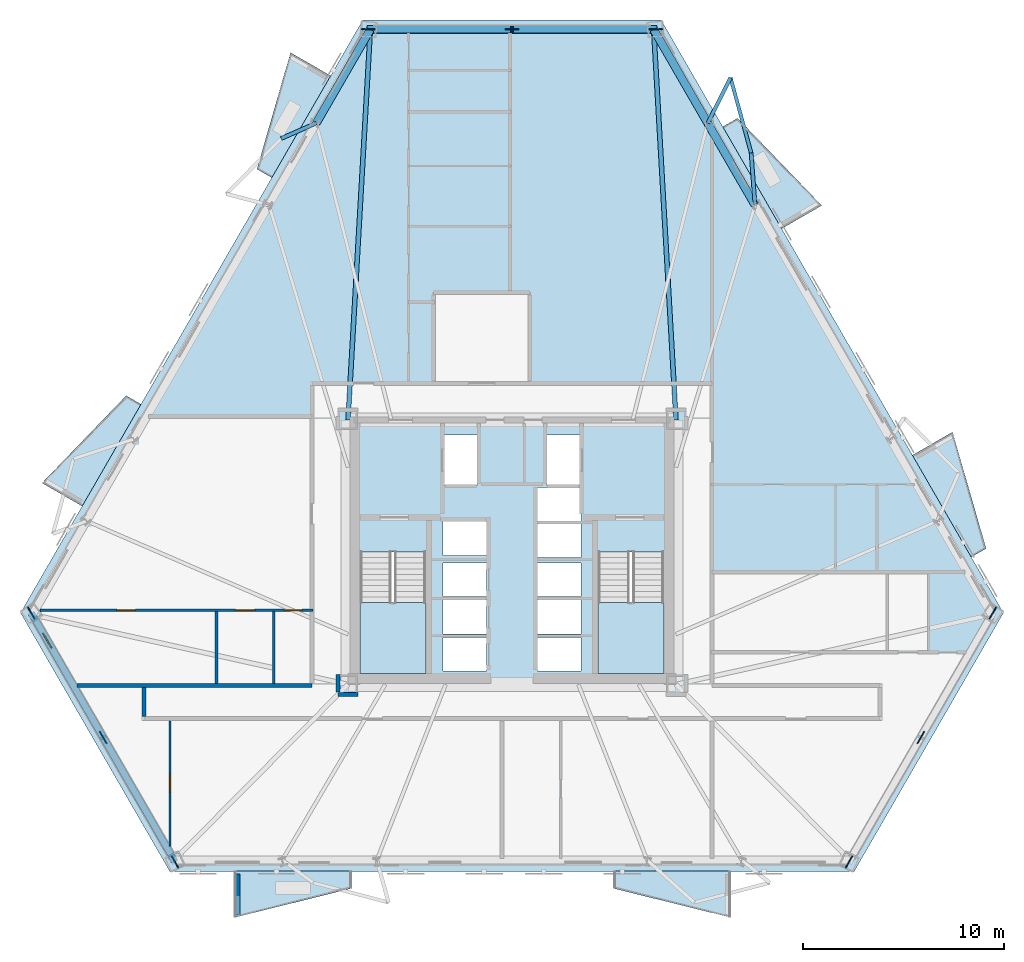
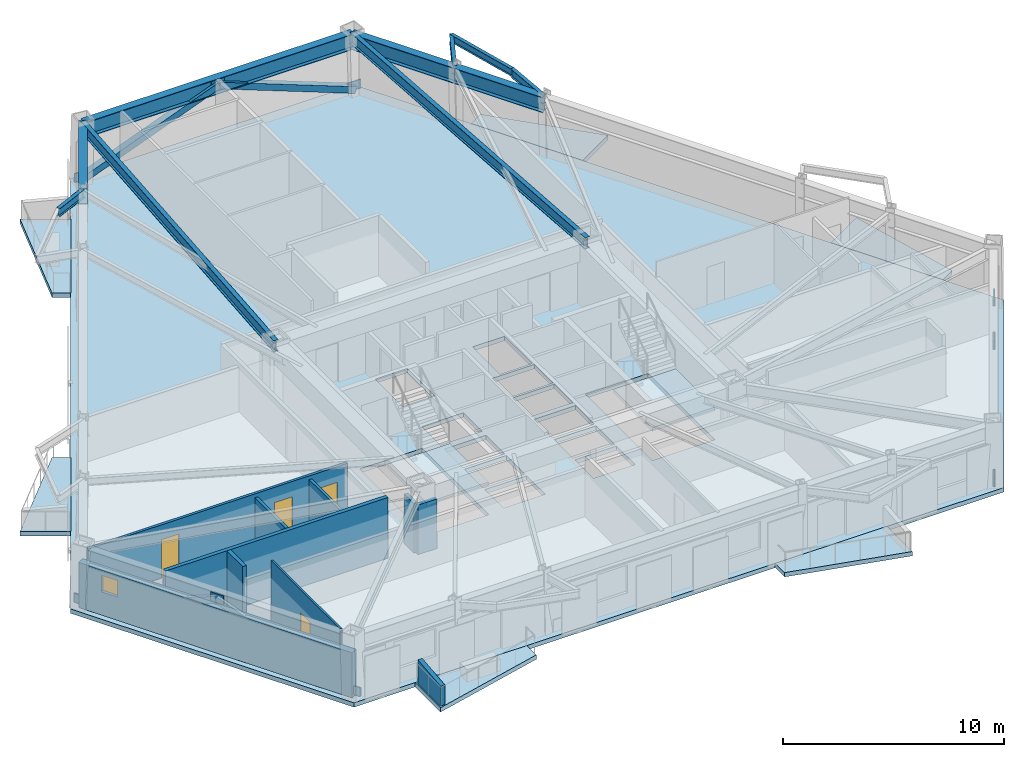
# One storey, part 2 of 10: 10 beams, 10 walls, 9 plates, 9 slabs, 4 doors, 2 members, 1 window, 5 openings, 2 elements without a shape of their own.
"""IFC4 building model written with IfcOpenShell, lengths in metres."""

from ifc_helpers import new_model, si_unit, direction, frame, frame_2d, origin, origin_2d, place, context, subcontext, project, spatial, polyline, rectangle, hollow_rectangle, i_section, outline, extrude, material, layer, layer_set, material_profile, profile_set, type_object, element, fill, aggregate, save


model = new_model("IFC4")

# Units and contexts
model_context = context("Model", 3, precision=1e-05, world=origin(), true_north=direction((0.0, 1.0)))
body_context = subcontext(model_context, "Body", "Model", "MODEL_VIEW")
ifc_project = project(units=[si_unit("LENGTHUNIT", "METRE"), si_unit("AREAUNIT", "SQUARE_METRE"), si_unit("VOLUMEUNIT", "CUBIC_METRE"), si_unit("PLANEANGLEUNIT", "RADIAN"), si_unit("MASSUNIT", "GRAM", prefix="KILO")], contexts=[model_context])

# Site, building, storey
site_placement = place(None, origin())
site = spatial("IfcSite", under=ifc_project, at=site_placement, CompositionType="ELEMENT")
building_placement = place(site_placement, origin())
building = spatial("IfcBuilding", under=site, at=building_placement, Name="Oramaril Tower", CompositionType="ELEMENT")
storey_placement = place(building_placement, frame((0.0, 0.0, 56.10009765625)))
storey = spatial("IfcBuildingStorey", under=building, at=storey_placement, Name="L14", CompositionType="ELEMENT", Elevation=56.10009765625)

# Beams
ifc_material_1 = material(Name="Steel ASTM A572 Gr 50", Category="steel")
ifc_material_profile_1 = material_profile(ifc_material_1, i_section(OverallWidth=0.19091796875, OverallDepth=0.45703125, WebThickness=0.009033203125, FlangeThickness=0.014404296875, at=origin_2d()), Name="W18X50")
ifc_profile_set_1 = profile_set([ifc_material_profile_1], Name="Steel ASTM A572 Gr 50")
beam_type_1 = type_object("IfcBeamType", Name="BT-BB1", PredefinedType="BEAM", material=ifc_profile_set_1)
beam_1_placement = place(storey_placement, frame((49.57958984375, 34.830078125, 3.13134765625), z_axis=(-0.074981250711, 0.99718494375, 0.0), x_axis=(-0.99718494375, -0.074981250711, 0.0)))
element("IfcBeam", 1, at=beam_1_placement, inside=storey, type_object=beam_type_1, Name="L14 Balcony Column-Framed Cantilever 04.1", PredefinedType="BEAM", context=body_context, shape_type="SweptSolid", body=[
    extrude(i_section(OverallWidth=0.19091796875, OverallDepth=0.45703125, WebThickness=0.009033203125, FlangeThickness=0.014404296875, at=origin_2d()), origin(), (0.0, 0.0, 1.0), 2.6015625),
])
beam_2_placement = place(storey_placement, frame((47.228515625, 38.902099609375, 3.13134765625), z_axis=(0.448915936367, 0.893573993621, 0.0), x_axis=(-0.893573993621, 0.448915936367, 0.0)))
element("IfcBeam", 2, at=beam_2_placement, inside=storey, type_object=beam_type_1, Name="L14 Balcony Column-Framed Cantilever 04.2", PredefinedType="BEAM", context=body_context, shape_type="SweptSolid", body=[
    extrude(i_section(OverallWidth=0.19091796875, OverallDepth=0.45703125, WebThickness=0.009033203125, FlangeThickness=0.014404296875, at=origin_2d()), origin(), (0.0, 0.0, 1.0), 2.52294921875),
])
beam_3_placement = place(storey_placement, frame((27.771484375, 38.902099609375, 3.13134765625), z_axis=(-0.915282954279, -0.402811511264, 0.0), x_axis=(0.402811511264, -0.915282954279, 0.0)))
element("IfcBeam", 3, at=beam_3_placement, inside=storey, type_object=beam_type_1, Name="L14 Balcony Column-Framed Cantilever 05.1", PredefinedType="BEAM", context=body_context, shape_type="SweptSolid", body=[
    extrude(i_section(OverallWidth=0.19091796875, OverallDepth=0.45703125, WebThickness=0.009033203125, FlangeThickness=0.014404296875, at=origin_2d()), origin(), (0.0, 0.0, 1.0), 1.907958984375),
])
ifc_material_2 = material(Name="Steel ASTM A572 Gr 50", Category="steel")
ifc_material_profile_2 = material_profile(ifc_material_2, i_section(OverallWidth=0.22900390625, OverallDepth=0.612060546875, WebThickness=0.011962890625, FlangeThickness=0.01953125, at=origin_2d()), Name="W24X84")
ifc_profile_set_2 = profile_set([ifc_material_profile_2], Name="Steel ASTM A572 Gr 50")
beam_type_2 = type_object("IfcBeamType", Name="BT-FB1", PredefinedType="BEAM", material=ifc_profile_set_2)
for number, where, z_axis, x_axis, name in (
    (4, (45.64990234375, 24.14990234375, 3.053955078125), (-0.057010801717, 0.998373561593, 0.0), (-0.998373561593, -0.057010801717, 0.0), "L14 Radial Primary Beam RB-05"),
    (5, (29.35009765625, 24.14990234375, 3.053955078125), (0.057010801717, 0.998373561593, 0.0), (-0.998373561593, 0.057010801717, 0.0), "L14 Radial Primary Beam RB-06"),
):
    element("IfcBeam", number, at=place(storey_placement, frame(where, z_axis=z_axis, x_axis=x_axis)), inside=storey, type_object=beam_type_2, Name=name, PredefinedType="BEAM", context=body_context, shape_type="SweptSolid", body=[
        extrude(i_section(OverallWidth=0.22900390625, OverallDepth=0.612060546875, WebThickness=0.011962890625, FlangeThickness=0.01953125, at=origin_2d()), origin(), (0.0, 0.0, 1.0), 19.4375),
    ])
ifc_material_3 = material(Name="Steel ASTM A572 Gr 50", Category="steel")
ifc_material_profile_3 = material_profile(ifc_material_3, i_section(OverallWidth=0.177978515625, OverallDepth=0.404052734375, WebThickness=0.007568359375, FlangeThickness=0.010986328125, at=origin_2d()), Name="W16X36")
ifc_profile_set_3 = profile_set([ifc_material_profile_3], Name="Steel ASTM A572 Gr 50")
beam_type_3 = type_object("IfcBeamType", Name="BT-SB1", PredefinedType="BEAM", material=ifc_profile_set_3)
beam_4_placement = place(storey_placement, frame((49.384521484375, 37.42431640625, 3.157958984375), z_axis=(-0.264457004129, 0.964397476649, 0.0), x_axis=(-0.964397476649, -0.264457004129, 0.0)))
element("IfcBeam", 6, at=beam_4_placement, inside=storey, type_object=beam_type_3, Name="L14 Balcony Edge Tie Beam 04", PredefinedType="BEAM", context=body_context, shape_type="SweptSolid", body=[
    extrude(i_section(OverallWidth=0.177978515625, OverallDepth=0.404052734375, WebThickness=0.007568359375, FlangeThickness=0.010986328125, at=origin_2d()), origin(), (0.0, 0.0, 1.0), 3.869873046875),
])
ifc_material_4 = material(Name="Steel ASTM A572 Gr 50", Category="steel")
ifc_material_profile_4 = material_profile(ifc_material_4, i_section(OverallWidth=0.40087890625, OverallDepth=0.85595703125, WebThickness=0.018310546875, FlangeThickness=0.029296875, at=origin_2d()), Name="W33X201")
ifc_profile_set_4 = profile_set([ifc_material_profile_4], Name="Steel ASTM A572 Gr 50")
beam_type_4 = type_object("IfcBeamType", Name="BT-SP1", PredefinedType="SPANDREL", material=ifc_profile_set_4)
beam_5_placement = place(storey_placement, frame((49.57958984375, 34.830078125, 2.931884765625), z_axis=(-0.500014597714, 0.866016975626, 0.0), x_axis=(-0.866016975626, -0.500014597714, 0.0)))
element("IfcBeam", 7, at=beam_5_placement, inside=storey, type_object=beam_type_4, Name="L14 Perimeter Spandrel 11", PredefinedType="SPANDREL", context=body_context, shape_type="SweptSolid", body=[
    extrude(i_section(OverallWidth=0.40087890625, OverallDepth=0.85595703125, WebThickness=0.018310546875, FlangeThickness=0.029296875, at=origin_2d()), origin(), (0.0, 0.0, 1.0), 4.701904296875),
])
beam_6_placement = place(storey_placement, frame((47.228515625, 38.902099609375, 2.931884765625), z_axis=(-0.499984638128, 0.866034272784, 0.0), x_axis=(-0.866034272784, -0.499984638128, 0.0)))
element("IfcBeam", 8, at=beam_6_placement, inside=storey, type_object=beam_type_4, Name="L14 Perimeter Spandrel 12", PredefinedType="SPANDREL", context=body_context, shape_type="SweptSolid", body=[
    extrude(i_section(OverallWidth=0.40087890625, OverallDepth=0.85595703125, WebThickness=0.018310546875, FlangeThickness=0.029296875, at=origin_2d()), origin(), (0.0, 0.0, 1.0), 5.373779296875),
])
beam_7_placement = place(storey_placement, frame((44.541748046875, 43.555908203125, 2.931884765625), z_axis=(-1.0, 0.0, 0.0), x_axis=(0.0, -1.0, 0.0)))
element("IfcBeam", 9, at=beam_7_placement, inside=storey, type_object=beam_type_4, Name="L14 Perimeter Spandrel 13", PredefinedType="SPANDREL", context=body_context, shape_type="SweptSolid", body=[
    extrude(i_section(OverallWidth=0.40087890625, OverallDepth=0.85595703125, WebThickness=0.018310546875, FlangeThickness=0.029296875, at=origin_2d()), origin(), (0.0, 0.0, 1.0), 14.08349609375),
])
beam_8_placement = place(storey_placement, frame((30.458251953125, 43.555908203125, 2.931884765625), z_axis=(-0.499984638128, -0.866034272784, 0.0), x_axis=(0.866034272784, -0.499984638128, 0.0)))
element("IfcBeam", 10, at=beam_8_placement, inside=storey, type_object=beam_type_4, Name="L14 Perimeter Spandrel 14", PredefinedType="SPANDREL", context=body_context, shape_type="SweptSolid", body=[
    extrude(i_section(OverallWidth=0.40087890625, OverallDepth=0.85595703125, WebThickness=0.018310546875, FlangeThickness=0.029296875, at=origin_2d()), origin(), (0.0, 0.0, 1.0), 5.373779296875),
])

# Members
ifc_material_5 = material(Name="Steel ASTM A572 Gr 50", Category="steel")
ifc_material_profile_5 = material_profile(ifc_material_5, hollow_rectangle(XDim=0.35009765625, YDim=0.35009765625, WallThickness=0.01611328125, at=origin_2d()), Name="HSS350X350X16")
ifc_profile_set_5 = profile_set([ifc_material_profile_5], Name="Steel ASTM A572 Gr 50")
member_type = type_object("IfcMemberType", Name="MT-KB1", PredefinedType="BRACE", material=ifc_profile_set_5)
for number, where, z_axis, x_axis, name in (
    (11, (44.64892578125, 43.565185546875, 0.179931640625), (-0.933242069308, 0.0, 0.359248159458), (0.0, -1.0, 0.0), "L14 Perimeter Chevron Brace KB-3A"),
    (12, (30.35107421875, 43.565185546875, 0.179931640625), (0.933242069308, 0.0, 0.359248159458), (0.0, 1.0, 0.0), "L14 Perimeter Chevron Brace KB-3B"),
):
    element("IfcMember", number, at=place(storey_placement, frame(where, z_axis=z_axis, x_axis=x_axis)), inside=storey, type_object=member_type, Name=name, PredefinedType="BRACE", context=body_context, shape_type="SweptSolid", body=[
        extrude(hollow_rectangle(XDim=0.35009765625, YDim=0.35009765625, WallThickness=0.01611328125, at=origin_2d()), origin(), (0.0, 0.0, 1.0), 7.660400390625),
    ])

# Plates
ifc_material_6 = material(Name="Steel ASTM A572 Gr 50", Category="steel")
ifc_layer_1 = layer(ifc_material_6, 0.06005859375)
ifc_layer_set_1 = layer_set([ifc_layer_1], Name="PLT-G60")
plate_type = type_object("IfcPlateType", Name="PLT-G60", PredefinedType="USERDEFINED", material=ifc_layer_set_1)
for number, where, z_axis, x_axis, name in (
    (13, (17.1787109375, 8.367431640625, 2.69189453125), (0.0, 0.0, 1.0), (0.500001511499, -0.866024531118, 0.0), "L14 Chevron Brace Gusset Plate BN-1"),
    (14, (13.60400390625, 14.55859375, 0.099853515625), (0.0, 0.0, 1.0), (0.500001511499, -0.866024531118, 0.0), "L14 Chevron Brace Gusset Plate BN-1"),
    (15, (20.753173828125, 2.17626953125, 0.099853515625), (0.0, 0.0, 1.0), (0.500001511499, -0.866024531118, 0.0), "L14 Chevron Brace Gusset Plate BN-1"),
    (16, (57.8212890625, 8.367431640625, 2.69189453125), (0.0, 0.0, 1.0), (0.500001511499, 0.866024531118, 0.0), "L14 Chevron Brace Gusset Plate BN-1"),
    (17, (54.246826171875, 2.17626953125, 0.099853515625), (0.0, 0.0, 1.0), (0.500001511499, 0.866024531118, 0.0), "L14 Chevron Brace Gusset Plate BN-1"),
    (18, (61.39599609375, 14.55859375, 0.099853515625), (0.0, 0.0, 1.0), (0.500001511499, 0.866024531118, 0.0), "L14 Chevron Brace Gusset Plate BN-1"),
    (19, (37.5, 43.565185546875, 2.69189453125), (0.0, 0.0, 1.0), (-1.0, 0.0, 0.0), "L14 Chevron Brace Gusset Plate BN-1"),
    (20, (44.64892578125, 43.565185546875, 0.099853515625), (0.0, 0.0, 1.0), (-1.0, 0.0, 0.0), "L14 Chevron Brace Gusset Plate BN-1"),
    (21, (30.35107421875, 43.565185546875, 0.099853515625), (0.0, 0.0, 1.0), (-1.0, 0.0, 0.0), "L14 Chevron Brace Gusset Plate BN-1"),
):
    element("IfcPlate", number, at=place(storey_placement, frame(where, z_axis=z_axis, x_axis=x_axis)), inside=storey, type_object=plate_type, Name=name, ObjectType="GUSSET", PredefinedType="USERDEFINED", context=body_context, shape_type="SweptSolid", body=[
        extrude(rectangle(XDim=0.679931640625, YDim=0.06005859375, at=origin_2d()), origin(), (0.0, 0.0, 1.0), 0.47998046875),
    ])

# Slabs
ifc_material_7 = material(Name="Concrete C40/50", Category="concrete")
ifc_layer_2 = layer(ifc_material_7, 0.199951171875)
ifc_layer_set_2 = layer_set([ifc_layer_2], Name="SLT-BAL20")
slab_type_1 = type_object("IfcSlabType", Name="SLT-BAL20", PredefinedType="FLOOR", material=ifc_layer_set_2)
slab_1_placement = place(storey_placement, frame((0.0, 0.0, -0.239990234375)))
element("IfcSlab", 22, at=slab_1_placement, inside=storey, type_object=slab_type_1, Name="L14 Cantilevered Balcony Slab L14-BAL-S2", PredefinedType="FLOOR", context=body_context, shape_type="SweptSolid", body=[
    extrude(outline(polyline([(42.53759765625, 1.71826171875), (48.387451171875, 1.71826171875), (48.387451171875, -0.583740234375), (42.53759765625, 0.8662109375), (42.53759765625, 1.71826171875)])), origin(), (0.0, 0.0, 1.0), 0.239990234375),
])
slab_2_placement = place(storey_placement, frame((0.0, 0.0, -0.239990234375)))
element("IfcSlab", 23, at=slab_2_placement, inside=storey, type_object=slab_type_1, Name="L14 Cantilevered Balcony Slab L14-BAL-NE1", PredefinedType="FLOOR", context=body_context, shape_type="SweptSolid", body=[
    extrude(outline(polyline([(60.325439453125, 17.328857421875), (57.400390625, 22.39501953125), (59.39404296875, 23.546142578125), (61.063232421875, 17.7548828125), (60.325439453125, 17.328857421875)])), origin(), (0.0, 0.0, 1.0), 0.239990234375),
])
slab_3_placement = place(storey_placement, frame((0.0, 0.0, -0.239990234375)))
element("IfcSlab", 24, at=slab_3_placement, inside=storey, type_object=slab_type_1, Name="L14 Cantilevered Balcony Slab L14-BAL-NW2", PredefinedType="FLOOR", context=body_context, shape_type="SweptSolid", body=[
    extrude(outline(polyline([(19.06201171875, 24.92822265625), (16.13720703125, 19.862060546875), (14.1435546875, 21.012939453125), (18.32421875, 25.354248046875), (19.06201171875, 24.92822265625)])), origin(), (0.0, 0.0, 1.0), 0.239990234375),
])
ifc_material_8 = material(Name="Concrete C50/60", Category="concrete")
ifc_layer_3 = layer(ifc_material_8, 0.239990234375)
ifc_layer_set_3 = layer_set([ifc_layer_3], Name="SLT-FLR24")
slab_type_2 = type_object("IfcSlabType", Name="SLT-FLR24", PredefinedType="FLOOR", material=ifc_layer_set_3)
slab_4_placement = place(storey_placement, frame((0.0, 0.0, -0.239990234375)))
element("IfcSlab", 25, at=slab_4_placement, inside=storey, type_object=slab_type_2, Name="L14 Structural Floor Slab", PredefinedType="FLOOR", context=body_context, shape_type="SweptSolid", body=[
    extrude(outline(polyline([(13.072998046875, 14.55859375), (20.487548828125, 1.71630859375), (54.512451171875, 1.71630859375), (61.927001953125, 14.55859375), (44.91455078125, 44.025146484375), (30.08544921875, 44.025146484375), (13.072998046875, 14.55859375)]), holes=[polyline([(29.949951171875, 17.58935546875), (29.949951171875, 11.550048828125), (33.219970703125, 11.550048828125), (33.219970703125, 17.58935546875), (29.949951171875, 17.58935546875)]), polyline([(41.780029296875, 17.58935546875), (41.780029296875, 11.550048828125), (45.050048828125, 11.550048828125), (45.050048828125, 17.58935546875), (41.780029296875, 17.58935546875)]), polyline([(34.110107421875, 20.909912109375), (35.7900390625, 20.909912109375), (35.7900390625, 23.389892578125), (34.110107421875, 23.389892578125), (34.110107421875, 20.909912109375)]), polyline([(39.2099609375, 20.909912109375), (40.889892578125, 20.909912109375), (40.889892578125, 23.389892578125), (39.2099609375, 23.389892578125), (39.2099609375, 20.909912109375)]), polyline([(34.06005859375, 11.659912109375), (36.239990234375, 11.659912109375), (36.239990234375, 13.340087890625), (34.06005859375, 13.340087890625), (34.06005859375, 11.659912109375)]), polyline([(34.06005859375, 13.510009765625), (36.239990234375, 13.510009765625), (36.239990234375, 15.18994140625), (34.06005859375, 15.18994140625), (34.06005859375, 13.510009765625)]), polyline([(34.06005859375, 15.360107421875), (36.239990234375, 15.360107421875), (36.239990234375, 17.0400390625), (34.06005859375, 17.0400390625), (34.06005859375, 15.360107421875)]), polyline([(38.760009765625, 11.659912109375), (40.93994140625, 11.659912109375), (40.93994140625, 13.340087890625), (38.760009765625, 13.340087890625), (38.760009765625, 11.659912109375)]), polyline([(38.760009765625, 13.510009765625), (40.93994140625, 13.510009765625), (40.93994140625, 15.18994140625), (38.760009765625, 15.18994140625), (38.760009765625, 13.510009765625)]), polyline([(38.760009765625, 15.360107421875), (40.93994140625, 15.360107421875), (40.93994140625, 17.0400390625), (38.760009765625, 17.0400390625), (38.760009765625, 15.360107421875)]), polyline([(34.06005859375, 17.409912109375), (36.239990234375, 17.409912109375), (36.239990234375, 19.090087890625), (34.06005859375, 19.090087890625), (34.06005859375, 17.409912109375)]), polyline([(38.760009765625, 17.31005859375), (40.93994140625, 17.31005859375), (40.93994140625, 18.989990234375), (38.760009765625, 18.989990234375), (38.760009765625, 17.31005859375)]), polyline([(38.760009765625, 19.110107421875), (40.93994140625, 19.110107421875), (40.93994140625, 20.7900390625), (38.760009765625, 20.7900390625), (38.760009765625, 19.110107421875)])]), origin(), (0.0, 0.0, 1.0), 0.239990234375),
])

# Stair, slab
ifc_material_9 = material(Name="Concrete C50/60", Category="concrete")
stair_type = type_object("IfcStairType", Name="STT-DG-3600", PredefinedType="HALF_TURN_STAIR", material=ifc_material_9)
stair_1_placement = place(storey_placement, origin())
stair_1 = element("IfcStair", 26, at=stair_1_placement, inside=storey, type_object=stair_type, Name="L14 Protected PFP Exit Stair ST-1", PredefinedType="HALF_TURN_STAIR")
ifc_material_10 = material(Name="Concrete C50/60", Category="concrete")
ifc_layer_4 = layer(ifc_material_10, 0.199951171875)
ifc_layer_set_4 = layer_set([ifc_layer_4], Name="SLT-LND20")
slab_type_3 = type_object("IfcSlabType", Name="SLT-LND20", PredefinedType="LANDING", material=ifc_layer_set_4)
slab_5_placement = place(storey_placement, frame((0.0, 0.0, 1.599853515625)))
slab_5 = element("IfcSlab", 27, at=slab_5_placement, type_object=slab_type_3, Name="ST-1 landing 1", PredefinedType="LANDING", context=body_context, shape_type="SweptSolid", body=[
    extrude(outline(polyline([(29.949951171875, 15.070068359375), (29.949951171875, 11.550048828125), (33.219970703125, 11.550048828125), (33.219970703125, 15.070068359375), (29.949951171875, 15.070068359375)])), origin(), (0.0, 0.0, 1.0), 0.199951171875),
])
aggregate(stair_1, [slab_5])

stair_2_placement = place(storey_placement, origin())
stair_2 = element("IfcStair", 28, at=stair_2_placement, inside=storey, type_object=stair_type, Name="L14 Protected PFP Exit Stair ST-2", PredefinedType="HALF_TURN_STAIR")
slab_6_placement = place(storey_placement, frame((0.0, 0.0, 1.599853515625)))
slab_6 = element("IfcSlab", 29, at=slab_6_placement, type_object=slab_type_3, Name="ST-2 landing 1", PredefinedType="LANDING", context=body_context, shape_type="SweptSolid", body=[
    extrude(outline(polyline([(41.780029296875, 15.070068359375), (41.780029296875, 11.550048828125), (45.050048828125, 11.550048828125), (45.050048828125, 15.070068359375), (41.780029296875, 15.070068359375)])), origin(), (0.0, 0.0, 1.0), 0.199951171875),
])
aggregate(stair_2, [slab_6])

# Slabs
ifc_material_11 = material(Name="Concrete C40/50", Category="concrete")
ifc_layer_5 = layer(ifc_material_11, 0.18994140625)
ifc_layer_set_5 = layer_set([ifc_layer_5], Name="SLT-PLN19")
slab_type_4 = type_object("IfcSlabType", Name="SLT-PLN19", PredefinedType="FLOOR", material=ifc_layer_set_5)
slab_7_placement = place(storey_placement, frame((0.0, 0.0, -0.239990234375)))
element("IfcSlab", 30, at=slab_7_placement, inside=storey, type_object=slab_type_4, Name="L14 Tree Planter Balcony Slab L14-BAL-S1", PredefinedType="FLOOR", context=body_context, shape_type="SweptSolid", body=[
    extrude(outline(polyline([(23.6875, 1.71826171875), (29.53759765625, 1.71826171875), (29.53759765625, 0.8662109375), (23.6875, -0.583740234375), (23.6875, 1.71826171875)])), origin(), (0.0, 0.0, 1.0), 0.239990234375),
])
slab_8_placement = place(storey_placement, frame((0.0, 0.0, -0.239990234375)))
element("IfcSlab", 31, at=slab_8_placement, inside=storey, type_object=slab_type_4, Name="L14 Tree Planter Balcony Slab L14-BAL-NE2", PredefinedType="FLOOR", context=body_context, shape_type="SweptSolid", body=[
    extrude(outline(polyline([(50.900390625, 33.653564453125), (47.975341796875, 38.7197265625), (48.713134765625, 39.145751953125), (52.89404296875, 34.804443359375), (50.900390625, 33.653564453125)])), origin(), (0.0, 0.0, 1.0), 0.239990234375),
])
slab_9_placement = place(storey_placement, frame((0.0, 0.0, -0.239990234375)))
element("IfcSlab", 32, at=slab_9_placement, inside=storey, type_object=slab_type_4, Name="L14 Tree Planter Balcony Slab L14-BAL-NW1", PredefinedType="FLOOR", context=body_context, shape_type="SweptSolid", body=[
    extrude(outline(polyline([(28.487060546875, 41.2529296875), (25.56201171875, 36.186767578125), (24.82421875, 36.61279296875), (26.493408203125, 42.40380859375), (28.487060546875, 41.2529296875)])), origin(), (0.0, 0.0, 1.0), 0.239990234375),
])

# Wall, opening, window
ifc_material_12 = material(Name="Warm Cream Limestone", Category="masonry")
ifc_layer_6 = layer(ifc_material_12, 0.340087890625)
ifc_layer_set_6 = layer_set([ifc_layer_6], Name="WT-EXT34")
wall_type_1 = type_object("IfcWallType", Name="WT-EXT34", PredefinedType="SOLIDWALL", material=ifc_layer_set_6)
wall_1_placement = place(storey_placement, frame((13.60400390625, 14.55859375, 0.0), z_axis=(0.0, 0.0, 1.0), x_axis=(0.500012153807, -0.866018386667, 0.0)))
wall_1 = element("IfcWall", 33, at=wall_1_placement, inside=storey, type_object=wall_type_1, Name="L14 Tower Limestone Facade Wall 1M", PredefinedType="SOLIDWALL", context=body_context, shape_type="SweptSolid", body=[
    extrude(rectangle(XDim=14.298095703125, YDim=0.340087890625, at=frame_2d((7.14892578125, 0.0))), origin(), (0.0, 0.0, 1.0), 2.493896484375),
])
opening_1_placement = place(wall_1_placement, frame((1.174072265625, 0.0, 1.280029296875)))
opening_1 = element("IfcOpeningElement", 34, at=opening_1_placement, cuts=wall_1, Name="Opening WN-13", PredefinedType="OPENING", context=body_context, shape_type="SweptSolid", body=[
    extrude(rectangle(XDim=0.85009765625, YDim=0.919921875, at=frame_2d((0.425048828125, 0.4599609375))), frame((0.0, 0.169921875, 0.0), z_axis=(0.0, -1.0, 0.0), x_axis=(1.0, 0.0, 0.0)), (0.0, 0.0, 1.0), 0.340087890625),
])
ifc_material_13 = material(Name="Coastal Low-E Insulated Glass", Category="glass")
window_type = type_object("IfcWindowType", Name="WNT-13", PartitioningType="SINGLE_PANEL", PredefinedType="WINDOW", material=ifc_material_13)
window_placement = place(opening_1_placement, origin())
window = element("IfcWindow", 35, at=window_placement, inside=storey, type_object=window_type, Name="L14 Apartment Bedroom Window WN-13", OverallHeight=0.919921875, OverallWidth=0.85009765625, PartitioningType="SINGLE_PANEL", PredefinedType="WINDOW", context=body_context, shape_type="SweptSolid", body=[
    extrude(rectangle(XDim=0.85009765625, YDim=0.919921875, at=frame_2d((0.425048828125, 0.4599609375))), frame((0.0, 0.030029296875, 0.0), z_axis=(0.0, -1.0, 0.0), x_axis=(1.0, 0.0, 0.0)), (0.0, 0.0, 1.0), 0.06005859375),
])
fill(opening_1, window)

# Wall
ifc_material_14 = material(Name="Concrete C40/50", Category="concrete")
ifc_layer_7 = layer(ifc_material_14, 0.22998046875)
ifc_layer_set_7 = layer_set([ifc_layer_7], Name="WT-PRP23")
wall_type_2 = type_object("IfcWallType", Name="WT-PRP23", PredefinedType="PARAPET", material=ifc_layer_set_7)
wall_2_placement = place(storey_placement, frame((23.867431640625, 1.578125, 0.0), z_axis=(0.0, 0.0, 1.0), x_axis=(0.0, -1.0, 0.0)))
element("IfcWall", 36, at=wall_2_placement, inside=storey, type_object=wall_type_2, Name="L14 Trapezoidal Balcony Frame Cheek L14-BAL-S1-L", PredefinedType="PARAPET", context=body_context, shape_type="SweptSolid", body=[
    extrude(outline(polyline([(0.0, 0.0), (2.0419921875, 0.0), (2.0419921875, 1.099853515625), (0.0, 1.31982421875), (0.0, 0.0)])), frame((0.0, 0.114990234375, 0.0), z_axis=(0.0, -1.0, 0.0), x_axis=(1.0, 0.0, 0.0)), (0.0, 0.0, 1.0), 0.22998046875),
])

# Wall, opening, door
ifc_material_15 = material(Name="Acoustic Gypsum Board Partition")
ifc_layer_8 = layer(ifc_material_15, 0.10009765625)
ifc_layer_set_8 = layer_set([ifc_layer_8], Name="WT-PT10")
wall_type_3 = type_object("IfcWallType", Name="WT-PT10", PredefinedType="PARTITIONING", material=ifc_layer_set_8)
wall_3_placement = place(storey_placement, frame((20.510009765625, 2.9453125, 0.0), z_axis=(0.0, 0.0, 1.0), x_axis=(0.0, 1.0, 0.0)))
wall_3 = element("IfcWall", 37, at=wall_3_placement, inside=storey, type_object=wall_type_3, Name="L14 Interior Partition PT-10", PredefinedType="PARTITIONING", context=body_context, shape_type="SweptSolid", body=[
    extrude(rectangle(XDim=6.250732421875, YDim=0.10009765625, at=frame_2d((3.12548828125, 0.0))), origin(), (0.0, 0.0, 1.0), 3.35986328125),
])
opening_2_placement = place(wall_3_placement, frame((2.70947265625, 0.0, 0.0)))
opening_2 = element("IfcOpeningElement", 38, at=opening_2_placement, cuts=wall_3, Name="Opening D-L14-15", PredefinedType="OPENING", context=body_context, shape_type="SweptSolid", body=[
    extrude(rectangle(XDim=0.8798828125, YDim=2.080078125, at=frame_2d((0.43994140625, 1.0400390625))), frame((0.0, 0.050048828125, 0.0), z_axis=(0.0, -1.0, 0.0), x_axis=(1.0, 0.0, 0.0)), (0.0, 0.0, 1.0), 0.10009765625),
])
ifc_material_16 = material(Name="FSC Brazilian Freijo Hardwood", Category="wood")
door_type_1 = type_object("IfcDoorType", Name="DT-BATH", OperationType="NOTDEFINED", PredefinedType="DOOR", material=ifc_material_16)
door_1_placement = place(opening_2_placement, origin())
door_1 = element("IfcDoor", 39, at=door_1_placement, inside=storey, type_object=door_type_1, Name="L14 Flat L14-U1 Bathroom Door D-L14-15", OperationType="SINGLE_SWING_RIGHT", OverallHeight=2.080078125, OverallWidth=0.8798828125, PredefinedType="DOOR", context=body_context, shape_type="SweptSolid", body=[
    extrude(rectangle(XDim=0.8798828125, YDim=2.080078125, at=frame_2d((0.43994140625, 1.0400390625))), frame((0.0, 0.02490234375, 0.0), z_axis=(0.0, -1.0, 0.0), x_axis=(1.0, 0.0, 0.0)), (0.0, 0.0, 1.0), 0.050048828125),
])
fill(opening_2, door_1)

# Wall, openings, doors
ifc_material_17 = material(Name="Acoustic Gypsum Board Partition")
ifc_layer_9 = layer(ifc_material_17, 0.139892578125)
ifc_layer_set_9 = layer_set([ifc_layer_9], Name="WT-PT14")
wall_type_4 = type_object("IfcWallType", Name="WT-PT14", PredefinedType="PARTITIONING", material=ifc_layer_set_9)
wall_4_placement = place(storey_placement, frame((14.0498046875, 14.68994140625, 0.0), z_axis=(0.0, 0.0, 1.0), x_axis=(1.0, 0.0, 0.0)))
wall_4 = element("IfcWall", 40, at=wall_4_placement, inside=storey, type_object=wall_type_4, Name="L14 Interior Partition PT-14", PredefinedType="PARTITIONING", context=body_context, shape_type="SweptSolid", body=[
    extrude(rectangle(XDim=13.55029296875, YDim=0.139892578125, at=frame_2d((6.775146484375, 0.0))), origin(), (0.0, 0.0, 1.0), 2.94580078125),
])
opening_3_placement = place(wall_4_placement, frame((3.81103515625, 0.0, 0.0)))
opening_3 = element("IfcOpeningElement", 41, at=opening_3_placement, cuts=wall_4, Name="Opening D-L14-07", PredefinedType="OPENING", context=body_context, shape_type="SweptSolid", body=[
    extrude(rectangle(XDim=0.919921875, YDim=2.1201171875, at=frame_2d((0.4599609375, 1.06005859375))), frame((0.0, 0.06982421875, 0.0), z_axis=(0.0, -1.0, 0.0), x_axis=(1.0, 0.0, 0.0)), (0.0, 0.0, 1.0), 0.139892578125),
])
opening_4_placement = place(wall_4_placement, frame((9.71337890625, 0.0, 0.0)))
opening_4 = element("IfcOpeningElement", 42, at=opening_4_placement, cuts=wall_4, Name="Opening D-L14-08", PredefinedType="OPENING", context=body_context, shape_type="SweptSolid", body=[
    extrude(rectangle(XDim=0.949951171875, YDim=2.10009765625, at=frame_2d((0.47509765625, 1.050048828125))), frame((0.0, 0.06982421875, 0.0), z_axis=(0.0, -1.0, 0.0), x_axis=(1.0, 0.0, 0.0)), (0.0, 0.0, 1.0), 0.139892578125),
])
opening_5_placement = place(wall_4_placement, frame((12.130126953125, 0.0, 0.0)))
opening_5 = element("IfcOpeningElement", 43, at=opening_5_placement, cuts=wall_4, Name="Opening D-L14-09", PredefinedType="OPENING", context=body_context, shape_type="SweptSolid", body=[
    extrude(rectangle(XDim=0.8798828125, YDim=2.080078125, at=frame_2d((0.43994140625, 1.0400390625))), frame((0.0, 0.06982421875, 0.0), z_axis=(0.0, -1.0, 0.0), x_axis=(1.0, 0.0, 0.0)), (0.0, 0.0, 1.0), 0.139892578125),
])
door_2_placement = place(opening_5_placement, origin())
door_2 = element("IfcDoor", 44, at=door_2_placement, inside=storey, type_object=door_type_1, Name="L14 Flat L14-U3 Bathroom Door D-L14-09", OperationType="SINGLE_SWING_RIGHT", OverallHeight=2.080078125, OverallWidth=0.8798828125, PredefinedType="DOOR", context=body_context, shape_type="SweptSolid", body=[
    extrude(rectangle(XDim=0.8798828125, YDim=2.080078125, at=frame_2d((0.43994140625, 1.0400390625))), frame((0.0, 0.02490234375, 0.0), z_axis=(0.0, -1.0, 0.0), x_axis=(1.0, 0.0, 0.0)), (0.0, 0.0, 1.0), 0.050048828125),
])
fill(opening_5, door_2)
ifc_material_18 = material(Name="FSC Brazilian Freijo Hardwood", Category="wood")
door_type_2 = type_object("IfcDoorType", Name="DT-BED", OperationType="NOTDEFINED", PredefinedType="DOOR", material=ifc_material_18)
door_3_placement = place(opening_3_placement, origin())
door_3 = element("IfcDoor", 45, at=door_3_placement, inside=storey, type_object=door_type_2, Name="L14 Flat L14-U3 Master Bedroom Door D-L14-07", OperationType="SINGLE_SWING_RIGHT", OverallHeight=2.1201171875, OverallWidth=0.919921875, PredefinedType="DOOR", context=body_context, shape_type="SweptSolid", body=[
    extrude(rectangle(XDim=0.919921875, YDim=2.1201171875, at=frame_2d((0.4599609375, 1.06005859375))), frame((0.0, 0.02490234375, 0.0), z_axis=(0.0, -1.0, 0.0), x_axis=(1.0, 0.0, 0.0)), (0.0, 0.0, 1.0), 0.050048828125),
])
fill(opening_3, door_3)
ifc_material_19 = material(Name="FSC Brazilian Freijo Hardwood", Category="wood")
door_type_3 = type_object("IfcDoorType", Name="DT-STDY", OperationType="NOTDEFINED", PredefinedType="DOOR", material=ifc_material_19)
door_4_placement = place(opening_4_placement, origin())
door_4 = element("IfcDoor", 46, at=door_4_placement, inside=storey, type_object=door_type_3, Name="L14 Flat L14-U3 Kitchen Door D-L14-08", OperationType="SINGLE_SWING_LEFT", OverallHeight=2.10009765625, OverallWidth=0.949951171875, PredefinedType="DOOR", context=body_context, shape_type="SweptSolid", body=[
    extrude(rectangle(XDim=0.949951171875, YDim=2.10009765625, at=frame_2d((0.47509765625, 1.050048828125))), frame((0.0, 0.02490234375, 0.0), z_axis=(0.0, -1.0, 0.0), x_axis=(1.0, 0.0, 0.0)), (0.0, 0.0, 1.0), 0.050048828125),
])
fill(opening_4, door_4)

# Walls
wall_5_placement = place(storey_placement, frame((25.659912109375, 11.053955078125, 0.0), z_axis=(0.0, 0.0, 1.0), x_axis=(0.0, 1.0, 0.0)))
element("IfcWall", 47, at=wall_5_placement, inside=storey, type_object=wall_type_4, Name="L14 Interior Partition PT-14", PredefinedType="PARTITIONING", context=body_context, shape_type="SweptSolid", body=[
    extrude(rectangle(XDim=3.56201171875, YDim=0.139892578125, at=frame_2d((1.781005859375, 0.0))), origin(), (0.0, 0.0, 1.0), 2.73779296875),
])
ifc_material_20 = material(Name="Acoustic Gypsum Board Partition")
ifc_layer_10 = layer(ifc_material_20, 0.159912109375)
ifc_layer_set_10 = layer_set([ifc_layer_10], Name="WT-PT16")
wall_type_5 = type_object("IfcWallType", Name="WT-PT16", PredefinedType="PARTITIONING", material=ifc_layer_set_10)
wall_6_placement = place(storey_placement, frame((22.820068359375, 11.053955078125, 0.0), z_axis=(0.0, 0.0, 1.0), x_axis=(0.0, 1.0, 0.0)))
element("IfcWall", 48, at=wall_6_placement, inside=storey, type_object=wall_type_5, Name="L14 Interior Partition PT-16", PredefinedType="PARTITIONING", context=body_context, shape_type="SweptSolid", body=[
    extrude(rectangle(XDim=3.56201171875, YDim=0.159912109375, at=frame_2d((1.781005859375, 0.0))), origin(), (0.0, 0.0, 1.0), 2.73779296875),
])
ifc_material_21 = material(Name="Autoclaved Cellular Concrete Block", Category="concrete")
ifc_layer_11 = layer(ifc_material_21, 0.199951171875)
ifc_layer_set_11 = layer_set([ifc_layer_11], Name="WT-PT20")
wall_type_6 = type_object("IfcWallType", Name="WT-PT20", PredefinedType="PARTITIONING", material=ifc_layer_set_11)
wall_7_placement = place(storey_placement, frame((28.860107421875, 10.510009765625, 0.0), z_axis=(0.0, 0.0, 1.0), x_axis=(1.0, 0.0, 0.0)))
element("IfcWall", 49, at=wall_7_placement, inside=storey, type_object=wall_type_6, Name="L14 Interior Partition PT-20", PredefinedType="PARTITIONING", context=body_context, shape_type="SweptSolid", body=[
    extrude(rectangle(XDim=0.97998046875, YDim=0.199951171875, at=frame_2d((0.489990234375, 0.0))), origin(), (0.0, 0.0, 1.0), 2.73779296875),
])
wall_8_placement = place(storey_placement, frame((15.888427734375, 10.949951171875, 0.0), z_axis=(0.0, 0.0, 1.0), x_axis=(1.0, 0.0, 0.0)))
element("IfcWall", 50, at=wall_8_placement, inside=storey, type_object=wall_type_6, Name="L14 Interior Partition PT-20", PredefinedType="PARTITIONING", context=body_context, shape_type="SweptSolid", body=[
    extrude(rectangle(XDim=11.66162109375, YDim=0.199951171875, at=frame_2d((5.830810546875, 0.0))), origin(), (0.0, 0.0, 1.0), 3.35986328125),
])
wall_9_placement = place(storey_placement, frame((19.199951171875, 9.404052734375, 0.0), z_axis=(0.0, 0.0, 1.0), x_axis=(0.0, 1.0, 0.0)))
element("IfcWall", 51, at=wall_9_placement, inside=storey, type_object=wall_type_6, Name="L14 Interior Partition PT-20", PredefinedType="PARTITIONING", context=body_context, shape_type="SweptSolid", body=[
    extrude(rectangle(XDim=1.44189453125, YDim=0.199951171875, at=frame_2d((0.720947265625, 0.0))), origin(), (0.0, 0.0, 1.0), 3.35986328125),
])
wall_10_placement = place(storey_placement, frame((28.860107421875, 10.614013671875, 0.0), z_axis=(0.0, 0.0, 1.0), x_axis=(0.0, 1.0, 0.0)))
element("IfcWall", 52, at=wall_10_placement, inside=storey, type_object=wall_type_6, Name="L14 Interior Partition PT-20", PredefinedType="PARTITIONING", context=body_context, shape_type="SweptSolid", body=[
    extrude(rectangle(XDim=0.881103515625, YDim=0.199951171875, at=frame_2d((0.4404296875, 0.0))), origin(), (0.0, 0.0, 1.0), 2.73779296875),
])

save(model, "model.ifc")
